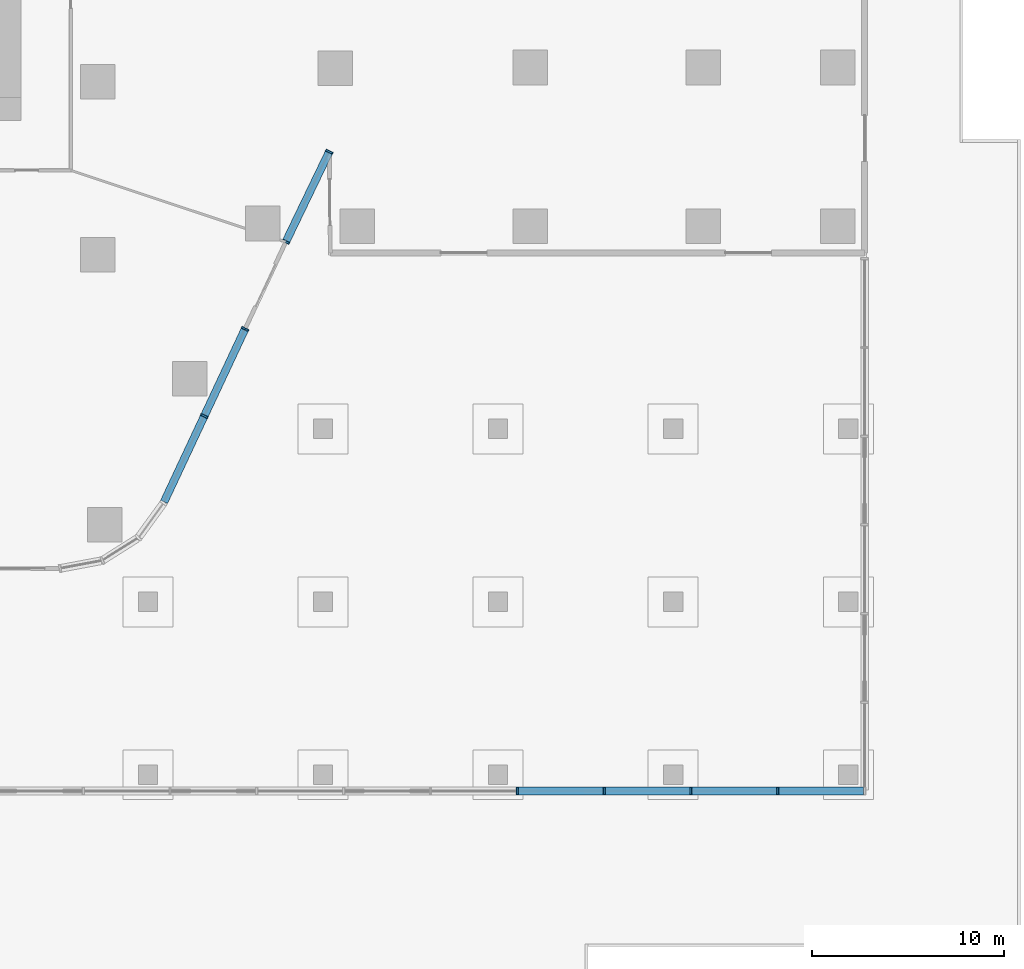
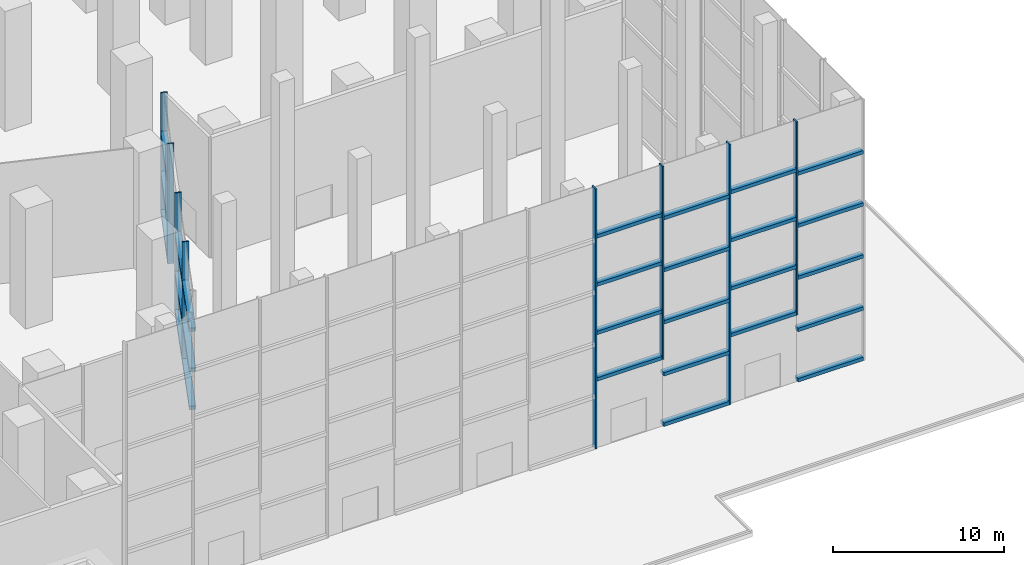
# One storey, part 12 of 40: 35 members, 7 elements without a shape of their own.
"""IFC4 building model written with IfcOpenShell, lengths in metres."""

import ifcopenshell
import ifcopenshell.guid

model = None  # the IFC model being written
_history = None  # IfcOwnerHistory: only IFC2X3 demands one
_inside = {}  # id of a spatial element -> (the spatial element, [elements in it])
_under = {}  # id of a project, library or spatial element -> (it, [spatial elements below it])
_declared = {}  # id of a project -> (the project, [libraries it declares])
_typed = {}  # id of a type object -> (the type object, [elements of that type])
_made_of = {}  # id of a material, layer set ... -> (it, [elements and type objects made of it])


def new_model(schema):
    """Start an empty IFC model of exactly this schema.

    Asked for "IFC4X3", IfcOpenShell would pick the latest addendum, in which some entities
    have other attributes; the version numbers below select the first issue.
    IFC2X3 requires an IfcOwnerHistory on every rooted entity: one is made here for all.
    """
    global model, _history
    if schema == "IFC4X3":
        model = ifcopenshell.file(schema_version=(4, 3, 0, 0))
    else:
        model = ifcopenshell.file(schema=schema)
    _inside.clear()
    _under.clear()
    _declared.clear()
    _typed.clear()
    _made_of.clear()
    _history = None
    if model.schema == "IFC2X3":
        org = make("IfcOrganization", Name="unknown")
        user = make(
            "IfcPersonAndOrganization",
            ThePerson=make("IfcPerson", FamilyName="unknown"),
            TheOrganization=org,
        )
        app = make(
            "IfcApplication",
            ApplicationDeveloper=org,
            Version="unknown",
            ApplicationFullName="unknown",
            ApplicationIdentifier="unknown",
        )
        _history = make(
            "IfcOwnerHistory",
            OwningUser=user,
            OwningApplication=app,
            ChangeAction="ADDED",
            CreationDate=0,
        )
    return model


def make(cls, **values):
    """One entity of the class cls with the attributes given. An attribute that is None is left unset."""
    return model.create_entity(
        cls, **{name: value for name, value in values.items() if value is not None}
    )


def rooted(cls, **values):
    """An entity with a GlobalId (a new one), such as an element, a storey or a relation."""
    return make(cls, GlobalId=ifcopenshell.guid.new(), OwnerHistory=_history, **values)


def si_unit(unit_type, name, prefix=None):
    """IfcSIUnit, for example si_unit("LENGTHUNIT", "METRE", prefix="MILLI")."""
    return make("IfcSIUnit", UnitType=unit_type, Prefix=prefix, Name=name)


def assignment(units):
    """IfcUnitAssignment: the units of a project."""
    return None if units is None else make("IfcUnitAssignment", Units=units)


def point(xyz):
    """IfcCartesianPoint."""
    return None if xyz is None else make("IfcCartesianPoint", Coordinates=xyz)


def direction(xyz):
    """IfcDirection."""
    return None if xyz is None else make("IfcDirection", DirectionRatios=xyz)


def frame(location, z_axis=None, x_axis=None):
    """IfcAxis2Placement3D, a coordinate frame: its origin and axes. An axis left out is left unset."""
    return make(
        "IfcAxis2Placement3D",
        Location=point(location),
        Axis=direction(z_axis),
        RefDirection=direction(x_axis),
    )


def frame_2d(location, x_axis=None):
    """IfcAxis2Placement2D, a coordinate frame in the plane: its origin and x axis."""
    return make(
        "IfcAxis2Placement2D", Location=point(location), RefDirection=direction(x_axis)
    )


def origin():
    """The frame at (0, 0, 0) with its axes left unset."""
    return frame((0.0, 0.0, 0.0))


def origin_2d():
    """The frame at (0, 0) in the plane with its x axis left unset."""
    return frame_2d((0.0, 0.0))


def place(relative_to, where):
    """IfcLocalPlacement: puts the frame where relative to a parent placement (None: the world)."""
    return make(
        "IfcLocalPlacement", PlacementRelTo=relative_to, RelativePlacement=where
    )


def context(
    kind, dimensions, precision=None, world=None, true_north=None, identifier=None
):
    """IfcGeometricRepresentationContext, for example the 3D "Model" context."""
    return make(
        "IfcGeometricRepresentationContext",
        ContextIdentifier=identifier,
        ContextType=kind,
        CoordinateSpaceDimension=dimensions,
        Precision=precision,
        WorldCoordinateSystem=world,
        TrueNorth=true_north,
    )


def subcontext(parent, identifier, kind, view, scale=None):
    """IfcGeometricRepresentationSubContext, for example "Body" below "Model"."""
    return make(
        "IfcGeometricRepresentationSubContext",
        ContextIdentifier=identifier,
        ContextType=kind,
        ParentContext=parent,
        TargetScale=scale,
        TargetView=view,
    )


def project(units=None, contexts=None):
    """IfcProject with its units and contexts."""
    return rooted(
        "IfcProject",
        Name="project",
        RepresentationContexts=contexts,
        UnitsInContext=assignment(units),
    )


def spatial(cls, under=None, at=None, **own):
    """A site, building, storey or space (cls), placed at a placement, below another one or the project."""
    s = rooted(cls, ObjectPlacement=at, **own)
    if under is not None:
        _under.setdefault(under.id(), (under, []))[1].append(s)
    return s


def profile(cls, at=None, kind="AREA", **sizes):
    """A parametric profile (cls). Its sizes go by their IFC names, for example OverallWidth=200.0."""
    return make(cls, ProfileType=kind, Position=at, **sizes)


def rectangle(**sizes):
    """IfcRectangleProfileDef."""
    return profile("IfcRectangleProfileDef", **sizes)


def extrude(swept, where, along, depth):
    """IfcExtrudedAreaSolid: the profile swept, set in the frame where, extruded along a direction by depth."""
    return make(
        "IfcExtrudedAreaSolid",
        SweptArea=swept,
        Position=where,
        ExtrudedDirection=direction(along),
        Depth=depth,
    )


def shape(context_of_items, identifier, shape_type, items):
    """IfcShapeRepresentation: the items that make up one representation, for example the "Body"."""
    return make(
        "IfcShapeRepresentation",
        ContextOfItems=context_of_items,
        RepresentationIdentifier=identifier,
        RepresentationType=shape_type,
        Items=items,
    )


def material(Name=None, Category=None):
    """IfcMaterial."""
    return make("IfcMaterial", Name=Name, Category=Category)


def layer(
    of_material, thickness, ventilated=None, Name=None, Category=None, Priority=None
):
    """IfcMaterialLayer: one layer of a wall or slab, of a material (None: an air gap)."""
    return make(
        "IfcMaterialLayer",
        Material=of_material,
        LayerThickness=thickness,
        IsVentilated=ventilated,
        Name=Name,
        Category=Category,
        Priority=Priority,
    )


def layer_set(layers, Name=None):
    """IfcMaterialLayerSet."""
    return make("IfcMaterialLayerSet", MaterialLayers=layers, LayerSetName=Name)


def material_profile(
    of_material, cross_section, Name=None, Category=None, Priority=None
):
    """IfcMaterialProfile: a cross section and its material."""
    return make(
        "IfcMaterialProfile",
        Name=Name,
        Material=of_material,
        Profile=cross_section,
        Priority=Priority,
        Category=Category,
    )


def profile_set(profiles, Name=None, composite=None):
    """IfcMaterialProfileSet."""
    return make(
        "IfcMaterialProfileSet",
        Name=Name,
        MaterialProfiles=profiles,
        CompositeProfile=composite,
    )


def made_of(thing, what):
    """Note that an element or type object is made of a material, layer set ...; save() writes the relation."""
    if what is not None:
        _made_of.setdefault(what.id(), (what, []))[1].append(thing)
    return thing


def type_object(cls, material=None, **own):
    """A type object (cls), such as IfcWallType, which elements share."""
    return made_of(rooted(cls, **own), material)


def element(
    cls,
    number,
    at=None,
    inside=None,
    cuts=None,
    type_object=None,
    material=None,
    context=None,
    identifier="Body",
    shape_type=None,
    held_by="IfcProductDefinitionShape",
    body=None,
    shapes=None,
    **own,
):
    """One element of the class cls, such as IfcWall. Its Tag is "e" and its number.

    at: its placement. inside: the storey or other place that contains it. cuts: it is an
    opening in that element (IfcRelVoidsElement). A single representation is given by context,
    identifier, shape_type and body (its items); several are given by shapes. held_by: the class
    of the entity that holds the representations. save() writes the other relations.
    """
    e = rooted(cls, Tag="e%d" % number, ObjectPlacement=at, **own)
    if body is not None:
        shapes = [shape(context, identifier, shape_type, body)]
    if shapes is not None:
        e.Representation = make(held_by, Representations=shapes)
    if inside is not None:
        _inside.setdefault(inside.id(), (inside, []))[1].append(e)
    if cuts is not None:
        rooted(
            "IfcRelVoidsElement", RelatingBuildingElement=cuts, RelatedOpeningElement=e
        )
    if type_object is not None:
        _typed.setdefault(type_object.id(), (type_object, []))[1].append(e)
    return made_of(e, material)


def aggregate(whole, parts):
    """IfcRelAggregates: a whole, such as a stair, and the parts it consists of."""
    return rooted("IfcRelAggregates", RelatingObject=whole, RelatedObjects=parts)


def save(model, path):
    """Write the relations noted so far, then the file.

    IfcRelAggregates (storeys below a building ...), IfcRelContainedInSpatialStructure (elements
    in a storey), IfcRelDefinesByType, IfcRelAssociatesMaterial and IfcRelDeclares: one each for
    every whole, place, type object, material and project.
    """
    for whole, parts in _under.values():
        aggregate(whole, parts)
    for where, things in _inside.values():
        rooted(
            "IfcRelContainedInSpatialStructure",
            RelatedElements=things,
            RelatingStructure=where,
        )
    for kind, things in _typed.values():
        rooted("IfcRelDefinesByType", RelatedObjects=things, RelatingType=kind)
    for what, things in _made_of.values():
        rooted("IfcRelAssociatesMaterial", RelatedObjects=things, RelatingMaterial=what)
    for by, libraries in _declared.values():
        rooted("IfcRelDeclares", RelatingContext=by, RelatedDefinitions=libraries)
    model.write(path)


model = new_model("IFC4")

# Units and contexts
model_context = context("Model", 3, precision=1e-05, world=origin(), true_north=direction((0.0, 1.0)))
body_context = subcontext(model_context, "Body", "Model", "MODEL_VIEW")
ifc_project = project(units=[si_unit("LENGTHUNIT", "METRE"), si_unit("AREAUNIT", "SQUARE_METRE"), si_unit("VOLUMEUNIT", "CUBIC_METRE"), si_unit("PLANEANGLEUNIT", "RADIAN"), si_unit("MASSUNIT", "GRAM", prefix="KILO")], contexts=[model_context])

# Site, building, storey
site_placement = place(None, origin())
site = spatial("IfcSite", under=ifc_project, at=site_placement, CompositionType="ELEMENT")
building_placement = place(site_placement, origin())
building = spatial("IfcBuilding", under=site, at=building_placement, Name="Dongbaek Canopy Tower", CompositionType="ELEMENT")
storey_placement = place(building_placement, origin())
storey = spatial("IfcBuildingStorey", under=building, at=storey_placement, Name="L00", CompositionType="ELEMENT", Elevation=0.0)

# Curtain wall, members
ifc_material_1 = material(Name="Aluminium 6063-T6 pale anodised", Category="aluminium")
ifc_layer = layer(ifc_material_1, 0.39990234375)
ifc_layer_set = layer_set([ifc_layer], Name="CW-3 lobby double-height curtain wall")
curtain_wall_type = type_object("IfcCurtainWallType", Name="CW-3 lobby double-height curtain wall", PredefinedType="NOTDEFINED", material=ifc_layer_set)
curtain_wall_1_placement = place(storey_placement, origin())
curtain_wall_1 = element("IfcCurtainWall", 1, at=curtain_wall_1_placement, inside=storey, type_object=curtain_wall_type, Name="CW-3 curtain wall F0.1", PredefinedType="NOTDEFINED")
ifc_material_2 = material(Name="Aluminium 6063-T6 pale anodised", Category="aluminium")
ifc_material_profile_1 = material_profile(ifc_material_2, rectangle(XDim=0.39990234375, YDim=0.10009765625, at=origin_2d()), Name="CW-3 mullion 100 x 400")
ifc_profile_set_1 = profile_set([ifc_material_profile_1], Name="Aluminium 6063-T6 pale anodised")
member_type_1 = type_object("IfcMemberType", Name="CW-3 mullion 100 x 400", PredefinedType="MULLION", material=ifc_profile_set_1)
member_1_placement = place(storey_placement, frame((23.5390625, -26.38427734375, 0.0), z_axis=(0.0, 0.0, 1.0), x_axis=(0.905604660176, -0.42412285893, 0.0)))
member_1 = element("IfcMember", 2, at=member_1_placement, type_object=member_type_1, Name="CW-3 mullion F0.1.2", PredefinedType="MULLION", context=body_context, shape_type="SweptSolid", body=[
    extrude(rectangle(XDim=0.39990234375, YDim=0.10009765625, at=origin_2d()), origin(), (0.0, 0.0, 1.0), 8.550048828125),
])
member_2_placement = place(storey_placement, frame((25.66259765625, -21.850341796875, 0.0), z_axis=(0.0, 0.0, 1.0), x_axis=(0.905604660176, -0.42412285893, 0.0)))
member_2 = element("IfcMember", 3, at=member_2_placement, type_object=member_type_1, Name="CW-3 mullion F0.1.3", PredefinedType="MULLION", context=body_context, shape_type="SweptSolid", body=[
    extrude(rectangle(XDim=0.39990234375, YDim=0.10009765625, at=origin_2d()), origin(), (0.0, 0.0, 1.0), 8.550048828125),
])

curtain_wall_2_placement = place(storey_placement, origin())
curtain_wall_2 = element("IfcCurtainWall", 4, at=curtain_wall_2_placement, inside=storey, type_object=curtain_wall_type, Name="CW-3 curtain wall F0.2", PredefinedType="NOTDEFINED")
member_3_placement = place(storey_placement, frame((27.785888671875, -17.316162109375, 0.0), z_axis=(0.0, 0.0, 1.0), x_axis=(0.900940787098, -0.433942044682, 0.0)))
member_3 = element("IfcMember", 5, at=member_3_placement, type_object=member_type_1, Name="CW-3 mullion F0.2.1", PredefinedType="MULLION", context=body_context, shape_type="SweptSolid", body=[
    extrude(rectangle(XDim=0.39990234375, YDim=0.10009765625, at=origin_2d()), origin(), (0.0, 0.0, 1.0), 8.550048828125),
])
member_4_placement = place(storey_placement, frame((30.04345703125, -12.62939453125, 0.0), z_axis=(0.0, 0.0, 1.0), x_axis=(0.900940787098, -0.433942044682, 0.0)))
member_4 = element("IfcMember", 6, at=member_4_placement, type_object=member_type_1, Name="CW-3 mullion F0.2.2", PredefinedType="MULLION", context=body_context, shape_type="SweptSolid", body=[
    extrude(rectangle(XDim=0.39990234375, YDim=0.10009765625, at=origin_2d()), origin(), (0.0, 0.0, 1.0), 8.550048828125),
])

# Curtain wall, member
curtain_wall_3_placement = place(storey_placement, origin())
curtain_wall_3 = element("IfcCurtainWall", 7, at=curtain_wall_3_placement, inside=storey, type_object=curtain_wall_type, Name="CW-3 curtain wall HSS.4", PredefinedType="NOTDEFINED")
member_5_placement = place(storey_placement, frame((39.827392578125, -45.89990234375, 0.0), z_axis=(0.0, 0.0, 1.0), x_axis=(0.0, -1.0, 0.0)))
member_5 = element("IfcMember", 8, at=member_5_placement, type_object=member_type_1, Name="CW-3 mullion HSS.4.2", PredefinedType="MULLION", context=body_context, shape_type="SweptSolid", body=[
    extrude(rectangle(XDim=0.39990234375, YDim=0.10009765625, at=origin_2d()), origin(), (0.0, 0.0, 1.0), 18.550048828125),
])
aggregate(curtain_wall_3, [member_5])

curtain_wall_4_placement = place(storey_placement, origin())
curtain_wall_4 = element("IfcCurtainWall", 9, at=curtain_wall_4_placement, inside=storey, type_object=curtain_wall_type, Name="CW-3 curtain wall HSS.8U", PredefinedType="NOTDEFINED")
member_6_placement = place(storey_placement, frame((44.345458984375, -45.89990234375, 4.800048828125), z_axis=(0.0, 0.0, 1.0), x_axis=(0.0, -1.0, 0.0)))
member_6 = element("IfcMember", 10, at=member_6_placement, type_object=member_type_1, Name="CW-3 mullion HSS.8U.2", PredefinedType="MULLION", context=body_context, shape_type="SweptSolid", body=[
    extrude(rectangle(XDim=0.39990234375, YDim=0.10009765625, at=origin_2d()), origin(), (0.0, 0.0, 1.0), 13.75),
])

curtain_wall_5_placement = place(storey_placement, origin())
curtain_wall_5 = element("IfcCurtainWall", 11, at=curtain_wall_5_placement, inside=storey, type_object=curtain_wall_type, Name="CW-3 curtain wall HSS.5", PredefinedType="NOTDEFINED")
member_7_placement = place(storey_placement, frame((48.863525390625, -45.89990234375, 0.0), z_axis=(0.0, 0.0, 1.0), x_axis=(0.0, -1.0, 0.0)))
member_7 = element("IfcMember", 12, at=member_7_placement, type_object=member_type_1, Name="CW-3 mullion HSS.5.2", PredefinedType="MULLION", context=body_context, shape_type="SweptSolid", body=[
    extrude(rectangle(XDim=0.39990234375, YDim=0.10009765625, at=origin_2d()), origin(), (0.0, 0.0, 1.0), 18.550048828125),
])

curtain_wall_6_placement = place(storey_placement, origin())
curtain_wall_6 = element("IfcCurtainWall", 13, at=curtain_wall_6_placement, inside=storey, type_object=curtain_wall_type, Name="CW-3 curtain wall HSS.10U", PredefinedType="NOTDEFINED")
member_8_placement = place(storey_placement, frame((53.3818359375, -45.89990234375, 4.800048828125), z_axis=(0.0, 0.0, 1.0), x_axis=(0.0, -1.0, 0.0)))
member_8 = element("IfcMember", 14, at=member_8_placement, type_object=member_type_1, Name="CW-3 mullion HSS.10U.2", PredefinedType="MULLION", context=body_context, shape_type="SweptSolid", body=[
    extrude(rectangle(XDim=0.39990234375, YDim=0.10009765625, at=origin_2d()), origin(), (0.0, 0.0, 1.0), 13.75),
])

# Member
ifc_material_3 = material(Name="Aluminium 6063-T6 pale anodised", Category="aluminium")
ifc_material_profile_2 = material_profile(ifc_material_3, rectangle(XDim=0.39990234375, YDim=0.25, at=origin_2d()), Name="CW-3 transom 250 x 400")
ifc_profile_set_2 = profile_set([ifc_material_profile_2], Name="Aluminium 6063-T6 pale anodised")
member_type_2 = type_object("IfcMemberType", Name="CW-3 transom 250 x 400", PredefinedType="USERDEFINED", material=ifc_profile_set_2)
member_9_placement = place(storey_placement, frame((21.446044921875, -30.853759765625, 0.125), z_axis=(0.424080870601, 0.905624323431, 0.0), x_axis=(-0.905624323431, 0.424080870601, 0.0)))
member_9 = element("IfcMember", 15, at=member_9_placement, type_object=member_type_2, Name="CW-3 transom F0.1.1.1", ObjectType="TRANSOM", PredefinedType="USERDEFINED", context=body_context, shape_type="SweptSolid", body=[
    extrude(rectangle(XDim=0.39990234375, YDim=0.25, at=origin_2d()), origin(), (0.0, 0.0, 1.0), 4.873291015625),
])

member_10_placement = place(storey_placement, frame((21.446044921875, -30.853759765625, 2.85009765625), z_axis=(0.424080870601, 0.905624323431, 0.0), x_axis=(-0.905624323431, 0.424080870601, 0.0)))
member_10 = element("IfcMember", 16, at=member_10_placement, type_object=member_type_2, Name="CW-3 transom F0.1.1.2", ObjectType="TRANSOM", PredefinedType="USERDEFINED", context=body_context, shape_type="SweptSolid", body=[
    extrude(rectangle(XDim=0.39990234375, YDim=0.25, at=origin_2d()), origin(), (0.0, 0.0, 1.0), 4.873291015625),
])

member_11_placement = place(storey_placement, frame((21.446044921875, -30.853759765625, 5.699951171875), z_axis=(0.424080870601, 0.905624323431, 0.0), x_axis=(-0.905624323431, 0.424080870601, 0.0)))
member_11 = element("IfcMember", 17, at=member_11_placement, type_object=member_type_2, Name="CW-3 transom F0.1.1.3", ObjectType="TRANSOM", PredefinedType="USERDEFINED", context=body_context, shape_type="SweptSolid", body=[
    extrude(rectangle(XDim=0.39990234375, YDim=0.25, at=origin_2d()), origin(), (0.0, 0.0, 1.0), 4.873291015625),
])

member_12_placement = place(storey_placement, frame((23.5654296875, -26.328125, 0.125), z_axis=(0.424125106299, 0.90560360766, 0.0), x_axis=(-0.90560360766, 0.424125106299, 0.0)))
member_12 = element("IfcMember", 18, at=member_12_placement, type_object=member_type_2, Name="CW-3 transom F0.1.2.1", ObjectType="TRANSOM", PredefinedType="USERDEFINED", context=body_context, shape_type="SweptSolid", body=[
    extrude(rectangle(XDim=0.39990234375, YDim=0.25, at=origin_2d()), origin(), (0.0, 0.0, 1.0), 4.882568359375),
])

member_13_placement = place(storey_placement, frame((23.5654296875, -26.328125, 2.85009765625), z_axis=(0.424125106299, 0.90560360766, 0.0), x_axis=(-0.90560360766, 0.424125106299, 0.0)))
member_13 = element("IfcMember", 19, at=member_13_placement, type_object=member_type_2, Name="CW-3 transom F0.1.2.2", ObjectType="TRANSOM", PredefinedType="USERDEFINED", context=body_context, shape_type="SweptSolid", body=[
    extrude(rectangle(XDim=0.39990234375, YDim=0.25, at=origin_2d()), origin(), (0.0, 0.0, 1.0), 4.882568359375),
])

member_14_placement = place(storey_placement, frame((23.5654296875, -26.328125, 5.699951171875), z_axis=(0.424125106299, 0.90560360766, 0.0), x_axis=(-0.90560360766, 0.424125106299, 0.0)))
member_14 = element("IfcMember", 20, at=member_14_placement, type_object=member_type_2, Name="CW-3 transom F0.1.2.3", ObjectType="TRANSOM", PredefinedType="USERDEFINED", context=body_context, shape_type="SweptSolid", body=[
    extrude(rectangle(XDim=0.39990234375, YDim=0.25, at=origin_2d()), origin(), (0.0, 0.0, 1.0), 4.882568359375),
])

aggregate(curtain_wall_1, [member_1, member_2, member_9, member_10, member_11, member_12, member_13, member_14])

member_15_placement = place(storey_placement, frame((27.81298828125, -17.26025390625, 0.125), z_axis=(0.433934145426, 0.900944591767, 0.0), x_axis=(-0.900944591767, 0.433934145426, 0.0)))
member_15 = element("IfcMember", 21, at=member_15_placement, type_object=member_type_2, Name="CW-3 transom F0.2.1.1", ObjectType="TRANSOM", PredefinedType="USERDEFINED", context=body_context, shape_type="SweptSolid", body=[
    extrude(rectangle(XDim=0.39990234375, YDim=0.25, at=origin_2d()), origin(), (0.0, 0.0, 1.0), 5.078125),
])

member_16_placement = place(storey_placement, frame((27.81298828125, -17.26025390625, 2.85009765625), z_axis=(0.433934145426, 0.900944591767, 0.0), x_axis=(-0.900944591767, 0.433934145426, 0.0)))
member_16 = element("IfcMember", 22, at=member_16_placement, type_object=member_type_2, Name="CW-3 transom F0.2.1.2", ObjectType="TRANSOM", PredefinedType="USERDEFINED", context=body_context, shape_type="SweptSolid", body=[
    extrude(rectangle(XDim=0.39990234375, YDim=0.25, at=origin_2d()), origin(), (0.0, 0.0, 1.0), 5.078125),
])

member_17_placement = place(storey_placement, frame((27.81298828125, -17.26025390625, 5.699951171875), z_axis=(0.433934145426, 0.900944591767, 0.0), x_axis=(-0.900944591767, 0.433934145426, 0.0)))
member_17 = element("IfcMember", 23, at=member_17_placement, type_object=member_type_2, Name="CW-3 transom F0.2.1.3", ObjectType="TRANSOM", PredefinedType="USERDEFINED", context=body_context, shape_type="SweptSolid", body=[
    extrude(rectangle(XDim=0.39990234375, YDim=0.25, at=origin_2d()), origin(), (0.0, 0.0, 1.0), 5.078125),
])

aggregate(curtain_wall_2, [member_3, member_4, member_15, member_16, member_17])

member_18_placement = place(storey_placement, frame((39.88916015625, -45.89990234375, 4.925048828125), z_axis=(1.0, 0.0, 0.0), x_axis=(0.0, 1.0, 0.0)))
member_18 = element("IfcMember", 24, at=member_18_placement, type_object=member_type_2, Name="CW-3 transom HSS.8U.1.1", ObjectType="TRANSOM", PredefinedType="USERDEFINED", context=body_context, shape_type="SweptSolid", body=[
    extrude(rectangle(XDim=0.39990234375, YDim=0.25, at=origin_2d()), origin(), (0.0, 0.0, 1.0), 4.394287109375),
])

member_19_placement = place(storey_placement, frame((39.88916015625, -45.89990234375, 8.237548828125), z_axis=(1.0, 0.0, 0.0), x_axis=(0.0, 1.0, 0.0)))
member_19 = element("IfcMember", 25, at=member_19_placement, type_object=member_type_2, Name="CW-3 transom HSS.8U.1.2", ObjectType="TRANSOM", PredefinedType="USERDEFINED", context=body_context, shape_type="SweptSolid", body=[
    extrude(rectangle(XDim=0.39990234375, YDim=0.25, at=origin_2d()), origin(), (0.0, 0.0, 1.0), 4.394287109375),
])

member_20_placement = place(storey_placement, frame((39.88916015625, -45.89990234375, 11.675048828125), z_axis=(1.0, 0.0, 0.0), x_axis=(0.0, 1.0, 0.0)))
member_20 = element("IfcMember", 26, at=member_20_placement, type_object=member_type_2, Name="CW-3 transom HSS.8U.1.3", ObjectType="TRANSOM", PredefinedType="USERDEFINED", context=body_context, shape_type="SweptSolid", body=[
    extrude(rectangle(XDim=0.39990234375, YDim=0.25, at=origin_2d()), origin(), (0.0, 0.0, 1.0), 4.394287109375),
])

member_21_placement = place(storey_placement, frame((39.88916015625, -45.89990234375, 15.112548828125), z_axis=(1.0, 0.0, 0.0), x_axis=(0.0, 1.0, 0.0)))
member_21 = element("IfcMember", 27, at=member_21_placement, type_object=member_type_2, Name="CW-3 transom HSS.8U.1.4", ObjectType="TRANSOM", PredefinedType="USERDEFINED", context=body_context, shape_type="SweptSolid", body=[
    extrude(rectangle(XDim=0.39990234375, YDim=0.25, at=origin_2d()), origin(), (0.0, 0.0, 1.0), 4.394287109375),
])

aggregate(curtain_wall_4, [member_6, member_18, member_19, member_20, member_21])

member_22_placement = place(storey_placement, frame((44.407470703125, -45.89990234375, 0.125), z_axis=(1.0, 0.0, 0.0), x_axis=(0.0, 1.0, 0.0)))
member_22 = element("IfcMember", 28, at=member_22_placement, type_object=member_type_2, Name="CW-3 transom HSS.5.1.1", ObjectType="TRANSOM", PredefinedType="USERDEFINED", context=body_context, shape_type="SweptSolid", body=[
    extrude(rectangle(XDim=0.39990234375, YDim=0.25, at=origin_2d()), origin(), (0.0, 0.0, 1.0), 4.394287109375),
])

member_23_placement = place(storey_placement, frame((44.407470703125, -45.89990234375, 3.7099609375), z_axis=(1.0, 0.0, 0.0), x_axis=(0.0, 1.0, 0.0)))
member_23 = element("IfcMember", 29, at=member_23_placement, type_object=member_type_2, Name="CW-3 transom HSS.5.1.2", ObjectType="TRANSOM", PredefinedType="USERDEFINED", context=body_context, shape_type="SweptSolid", body=[
    extrude(rectangle(XDim=0.39990234375, YDim=0.25, at=origin_2d()), origin(), (0.0, 0.0, 1.0), 4.394287109375),
])

member_24_placement = place(storey_placement, frame((44.407470703125, -45.89990234375, 7.419921875), z_axis=(1.0, 0.0, 0.0), x_axis=(0.0, 1.0, 0.0)))
member_24 = element("IfcMember", 30, at=member_24_placement, type_object=member_type_2, Name="CW-3 transom HSS.5.1.3", ObjectType="TRANSOM", PredefinedType="USERDEFINED", context=body_context, shape_type="SweptSolid", body=[
    extrude(rectangle(XDim=0.39990234375, YDim=0.25, at=origin_2d()), origin(), (0.0, 0.0, 1.0), 4.394287109375),
])

member_25_placement = place(storey_placement, frame((44.407470703125, -45.89990234375, 11.1298828125), z_axis=(1.0, 0.0, 0.0), x_axis=(0.0, 1.0, 0.0)))
member_25 = element("IfcMember", 31, at=member_25_placement, type_object=member_type_2, Name="CW-3 transom HSS.5.1.4", ObjectType="TRANSOM", PredefinedType="USERDEFINED", context=body_context, shape_type="SweptSolid", body=[
    extrude(rectangle(XDim=0.39990234375, YDim=0.25, at=origin_2d()), origin(), (0.0, 0.0, 1.0), 4.394287109375),
])

member_26_placement = place(storey_placement, frame((44.407470703125, -45.89990234375, 14.840087890625), z_axis=(1.0, 0.0, 0.0), x_axis=(0.0, 1.0, 0.0)))
member_26 = element("IfcMember", 32, at=member_26_placement, type_object=member_type_2, Name="CW-3 transom HSS.5.1.5", ObjectType="TRANSOM", PredefinedType="USERDEFINED", context=body_context, shape_type="SweptSolid", body=[
    extrude(rectangle(XDim=0.39990234375, YDim=0.25, at=origin_2d()), origin(), (0.0, 0.0, 1.0), 4.394287109375),
])

aggregate(curtain_wall_5, [member_7, member_22, member_23, member_24, member_25, member_26])

member_27_placement = place(storey_placement, frame((48.925537109375, -45.89990234375, 4.925048828125), z_axis=(1.0, 0.0, 0.0), x_axis=(0.0, 1.0, 0.0)))
member_27 = element("IfcMember", 33, at=member_27_placement, type_object=member_type_2, Name="CW-3 transom HSS.10U.1.1", ObjectType="TRANSOM", PredefinedType="USERDEFINED", context=body_context, shape_type="SweptSolid", body=[
    extrude(rectangle(XDim=0.39990234375, YDim=0.25, at=origin_2d()), origin(), (0.0, 0.0, 1.0), 4.394287109375),
])

member_28_placement = place(storey_placement, frame((48.925537109375, -45.89990234375, 8.237548828125), z_axis=(1.0, 0.0, 0.0), x_axis=(0.0, 1.0, 0.0)))
member_28 = element("IfcMember", 34, at=member_28_placement, type_object=member_type_2, Name="CW-3 transom HSS.10U.1.2", ObjectType="TRANSOM", PredefinedType="USERDEFINED", context=body_context, shape_type="SweptSolid", body=[
    extrude(rectangle(XDim=0.39990234375, YDim=0.25, at=origin_2d()), origin(), (0.0, 0.0, 1.0), 4.394287109375),
])

member_29_placement = place(storey_placement, frame((48.925537109375, -45.89990234375, 11.675048828125), z_axis=(1.0, 0.0, 0.0), x_axis=(0.0, 1.0, 0.0)))
member_29 = element("IfcMember", 35, at=member_29_placement, type_object=member_type_2, Name="CW-3 transom HSS.10U.1.3", ObjectType="TRANSOM", PredefinedType="USERDEFINED", context=body_context, shape_type="SweptSolid", body=[
    extrude(rectangle(XDim=0.39990234375, YDim=0.25, at=origin_2d()), origin(), (0.0, 0.0, 1.0), 4.394287109375),
])

member_30_placement = place(storey_placement, frame((48.925537109375, -45.89990234375, 15.112548828125), z_axis=(1.0, 0.0, 0.0), x_axis=(0.0, 1.0, 0.0)))
member_30 = element("IfcMember", 36, at=member_30_placement, type_object=member_type_2, Name="CW-3 transom HSS.10U.1.4", ObjectType="TRANSOM", PredefinedType="USERDEFINED", context=body_context, shape_type="SweptSolid", body=[
    extrude(rectangle(XDim=0.39990234375, YDim=0.25, at=origin_2d()), origin(), (0.0, 0.0, 1.0), 4.394287109375),
])

aggregate(curtain_wall_6, [member_8, member_27, member_28, member_29, member_30])

# Curtain wall, members
curtain_wall_7_placement = place(storey_placement, origin())
curtain_wall_7 = element("IfcCurtainWall", 37, at=curtain_wall_7_placement, inside=storey, type_object=curtain_wall_type, Name="CW-3 curtain wall HSS.6", PredefinedType="NOTDEFINED")
member_31_placement = place(storey_placement, frame((53.44384765625, -45.89990234375, 0.125), z_axis=(1.0, 0.0, 0.0), x_axis=(0.0, 1.0, 0.0)))
member_31 = element("IfcMember", 38, at=member_31_placement, type_object=member_type_2, Name="CW-3 transom HSS.6.1.1", ObjectType="TRANSOM", PredefinedType="USERDEFINED", context=body_context, shape_type="SweptSolid", body=[
    extrude(rectangle(XDim=0.39990234375, YDim=0.25, at=origin_2d()), origin(), (0.0, 0.0, 1.0), 4.39404296875),
])
member_32_placement = place(storey_placement, frame((53.44384765625, -45.89990234375, 3.7099609375), z_axis=(1.0, 0.0, 0.0), x_axis=(0.0, 1.0, 0.0)))
member_32 = element("IfcMember", 39, at=member_32_placement, type_object=member_type_2, Name="CW-3 transom HSS.6.1.2", ObjectType="TRANSOM", PredefinedType="USERDEFINED", context=body_context, shape_type="SweptSolid", body=[
    extrude(rectangle(XDim=0.39990234375, YDim=0.25, at=origin_2d()), origin(), (0.0, 0.0, 1.0), 4.39404296875),
])
member_33_placement = place(storey_placement, frame((53.44384765625, -45.89990234375, 7.419921875), z_axis=(1.0, 0.0, 0.0), x_axis=(0.0, 1.0, 0.0)))
member_33 = element("IfcMember", 40, at=member_33_placement, type_object=member_type_2, Name="CW-3 transom HSS.6.1.3", ObjectType="TRANSOM", PredefinedType="USERDEFINED", context=body_context, shape_type="SweptSolid", body=[
    extrude(rectangle(XDim=0.39990234375, YDim=0.25, at=origin_2d()), origin(), (0.0, 0.0, 1.0), 4.39404296875),
])
member_34_placement = place(storey_placement, frame((53.44384765625, -45.89990234375, 11.1298828125), z_axis=(1.0, 0.0, 0.0), x_axis=(0.0, 1.0, 0.0)))
member_34 = element("IfcMember", 41, at=member_34_placement, type_object=member_type_2, Name="CW-3 transom HSS.6.1.4", ObjectType="TRANSOM", PredefinedType="USERDEFINED", context=body_context, shape_type="SweptSolid", body=[
    extrude(rectangle(XDim=0.39990234375, YDim=0.25, at=origin_2d()), origin(), (0.0, 0.0, 1.0), 4.39404296875),
])
member_35_placement = place(storey_placement, frame((53.44384765625, -45.89990234375, 14.840087890625), z_axis=(1.0, 0.0, 0.0), x_axis=(0.0, 1.0, 0.0)))
member_35 = element("IfcMember", 42, at=member_35_placement, type_object=member_type_2, Name="CW-3 transom HSS.6.1.5", ObjectType="TRANSOM", PredefinedType="USERDEFINED", context=body_context, shape_type="SweptSolid", body=[
    extrude(rectangle(XDim=0.39990234375, YDim=0.25, at=origin_2d()), origin(), (0.0, 0.0, 1.0), 4.39404296875),
])
aggregate(curtain_wall_7, [member_31, member_32, member_33, member_34, member_35])

save(model, "model.ifc")
